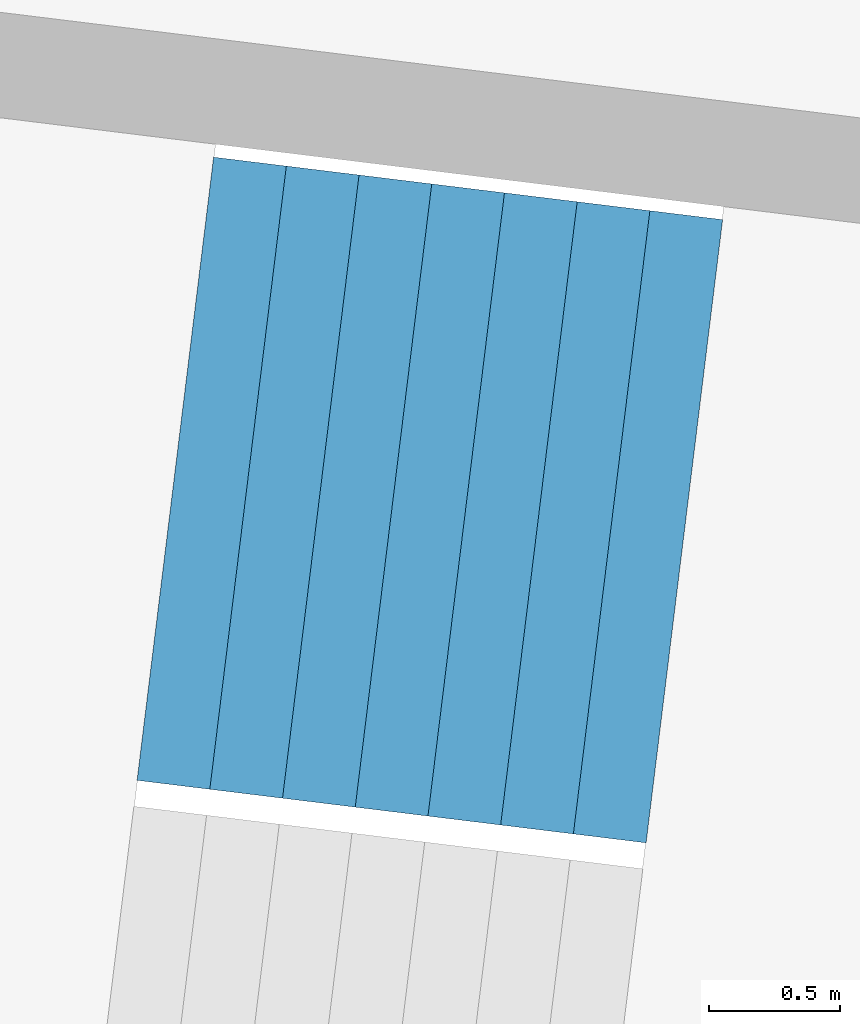
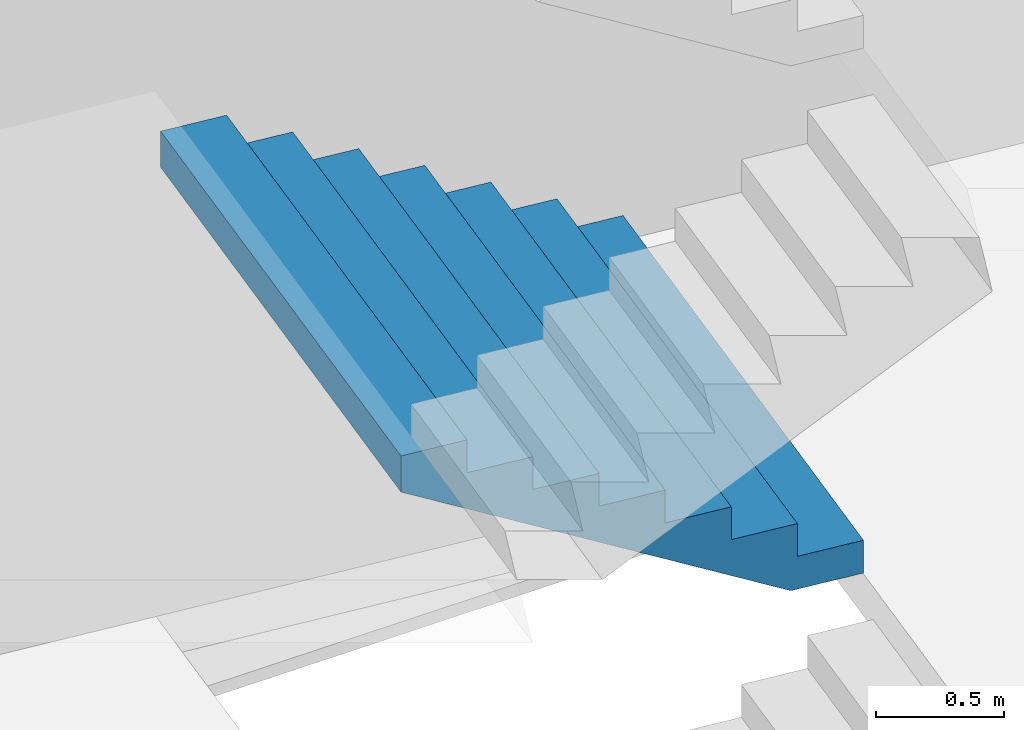
# One storey, part 55 of 73: 1 stair flight, 1 element without a shape of its own.
"""IFC4 building model written with IfcOpenShell, lengths in metres."""

from ifc_helpers import new_model, si_unit, direction, frame, origin, place, context, subcontext, project, spatial, triangles, material, type_object, element, aggregate, save


model = new_model("IFC4")

# Units and contexts
model_context = context("Model", 3, precision=1e-05, world=origin(), true_north=direction((0.0, 1.0)))
body_context = subcontext(model_context, "Body", "Model", "MODEL_VIEW")
ifc_project = project(units=[si_unit("LENGTHUNIT", "METRE"), si_unit("AREAUNIT", "SQUARE_METRE"), si_unit("VOLUMEUNIT", "CUBIC_METRE"), si_unit("PLANEANGLEUNIT", "RADIAN"), si_unit("MASSUNIT", "GRAM", prefix="KILO")], contexts=[model_context])

# Site, building, storey
site_placement = place(None, origin())
site = spatial("IfcSite", under=ifc_project, at=site_placement, CompositionType="ELEMENT")
building_placement = place(site_placement, origin())
building = spatial("IfcBuilding", under=site, at=building_placement, Name="Lantaw Convention Tower", CompositionType="ELEMENT")
storey_placement = place(building_placement, frame((0.0, 0.0, 27.0)))
storey = spatial("IfcBuildingStorey", under=building, at=storey_placement, Name="L04", CompositionType="ELEMENT", Elevation=27.0)

# Stair, stair flight
ifc_material = material(Name="Concrete C35/45", Category="concrete")
stair_type = type_object("IfcStairType", Name="Exit stair 2400 riser 156.25 in 4 flights", PredefinedType="HALF_TURN_STAIR", material=ifc_material)
stair_placement = place(storey_placement, origin())
stair = element("IfcStair", 1, at=stair_placement, inside=storey, type_object=stair_type, Name="Podium exit stair P13 L04", PredefinedType="HALF_TURN_STAIR")
stair_flight_type = type_object("IfcStairFlightType", Name="Stair flight 2400 riser 156.25", PredefinedType="STRAIGHT", material=ifc_material)
stair_flight_placement = place(storey_placement, frame((37.107666015625, -3.296875, 1.25), z_axis=(0.0, 0.0, 1.0), x_axis=(-0.992546151641, 0.121869343405, 0.0)))
stair_flight = element("IfcStairFlight", 2, at=stair_flight_placement, type_object=stair_flight_type, Name="P13 flight 2", NumberOfRisers=8, NumberOfTreads=7, PredefinedType="STRAIGHT", RiserHeight=0.15625, TreadLength=0.28, context=body_context, shape_type="Tessellation", body=[
    triangles([(0.0, 1.199951171875, 0.0), (0.0, 1.199951171875, 0.15625), (0.28, 1.199951171875, 0.0), (0.28, 1.199951171875, 0.15625), (0.28, 1.199951171875, 0.3125), (0.3076200632058044, 1.199951171875, 0.0), (0.3076200632058044, 1.199951171875, 0.3125), (0.56, 1.199951171875, 0.14083701830033238), (0.56, 1.199951171875, 0.3125), (0.56, 1.199951171875, 0.46875), (0.8400000000000001, 1.199951171875, 0.29708701830033235), (0.8400000000000001, 1.199951171875, 0.46875), (0.8400000000000001, 1.199951171875, 0.625), (1.12, 1.199951171875, 0.45333701830033235), (1.12, 1.199951171875, 0.625), (1.12, 1.199951171875, 0.78125), (1.4000000000000001, 1.199951171875, 0.6095870183003324), (1.4000000000000001, 1.199951171875, 0.78125), (1.4000000000000001, 1.199951171875, 0.9375), (1.6800000000000002, 1.199951171875, 0.7658370183003324), (1.6800000000000002, 1.199951171875, 0.9375), (1.6800000000000002, 1.199951171875, 1.09375), (1.9600000000000002, 1.199951171875, 0.9220870183003324), (1.9600000000000002, 1.199951171875, 1.09375), (0.0, -1.199951171875, 0.0), (0.0, -1.199951171875, 0.15625), (0.28, -1.199951171875, 0.0), (0.28, -1.199951171875, 0.15625), (0.28, -1.199951171875, 0.3125), (0.3076200632058044, -1.199951171875, 0.0), (0.3076200632058044, -1.199951171875, 0.3125), (0.56, -1.199951171875, 0.14083701830033238), (0.56, -1.199951171875, 0.3125), (0.56, -1.199951171875, 0.46875), (0.8400000000000001, -1.199951171875, 0.29708701830033235), (0.8400000000000001, -1.199951171875, 0.46875), (0.8400000000000001, -1.199951171875, 0.625), (1.12, -1.199951171875, 0.45333701830033235), (1.12, -1.199951171875, 0.625), (1.12, -1.199951171875, 0.78125), (1.4000000000000001, -1.199951171875, 0.6095870183003324), (1.4000000000000001, -1.199951171875, 0.78125), (1.4000000000000001, -1.199951171875, 0.9375), (1.6800000000000002, -1.199951171875, 0.7658370183003324), (1.6800000000000002, -1.199951171875, 0.9375), (1.6800000000000002, -1.199951171875, 1.09375), (1.9600000000000002, -1.199951171875, 0.9220870183003324), (1.9600000000000002, -1.199951171875, 1.09375), (0.0, 0.239990234375, 0.15625), (0.0, 0.239990234375, 0.0), (0.0, 0.1919921875, 0.15625), (0.0, 0.1919921875, 0.0), (0.0, 0.143994140625, 0.15625), (0.0, 0.143994140625, 0.0), (0.0, 0.09599609375, 0.15625), (0.0, 0.09599609375, 0.0), (0.0, 0.047998046875, 0.15625), (0.0, 0.047998046875, 0.0), (0.0, 0.0, 0.15625), (0.0, 0.0, 0.0), (0.0, -0.047998046875, 0.15625), (0.0, -0.047998046875, 0.0), (0.0, -0.09599609375, 0.15625), (0.0, -0.09599609375, 0.0), (0.0, -0.143994140625, 0.15625), (0.0, -0.143994140625, 0.0), (0.0, -0.1919921875, 0.15625), (0.0, -0.1919921875, 0.0), (0.0, -0.239990234375, 0.15625), (0.0, -0.239990234375, 0.0), (0.28, 0.239990234375, 0.3125), (0.28, 0.239990234375, 0.15625), (0.28, 0.1919921875, 0.3125), (0.28, 0.1919921875, 0.15625), (0.28, 0.143994140625, 0.3125), (0.28, 0.143994140625, 0.15625), (0.28, 0.09599609375, 0.3125), (0.28, 0.09599609375, 0.15625), (0.28, 0.047998046875, 0.3125), (0.28, 0.047998046875, 0.15625), (0.28, 0.0, 0.3125), (0.28, 0.0, 0.15625), (0.28, -0.047998046875, 0.3125), (0.28, -0.047998046875, 0.15625), (0.28, -0.09599609375, 0.3125), (0.28, -0.09599609375, 0.15625), (0.28, -0.143994140625, 0.3125), (0.28, -0.143994140625, 0.15625), (0.28, -0.1919921875, 0.3125), (0.28, -0.1919921875, 0.15625), (0.28, -0.239990234375, 0.3125), (0.28, -0.239990234375, 0.15625), (0.56, 0.239990234375, 0.46875), (0.56, 0.239990234375, 0.3125), (0.56, 0.1919921875, 0.46875), (0.56, 0.1919921875, 0.3125), (0.56, 0.143994140625, 0.46875), (0.56, 0.143994140625, 0.3125), (0.56, 0.09599609375, 0.46875), (0.56, 0.09599609375, 0.3125), (0.56, 0.047998046875, 0.46875), (0.56, 0.047998046875, 0.3125), (0.56, 0.0, 0.46875), (0.56, 0.0, 0.3125), (0.56, -0.047998046875, 0.46875), (0.56, -0.047998046875, 0.3125), (0.56, -0.09599609375, 0.46875), (0.56, -0.09599609375, 0.3125), (0.56, -0.143994140625, 0.46875), (0.56, -0.143994140625, 0.3125), (0.56, -0.1919921875, 0.46875), (0.56, -0.1919921875, 0.3125), (0.56, -0.239990234375, 0.46875), (0.56, -0.239990234375, 0.3125), (0.8400000000000001, 0.239990234375, 0.625), (0.8400000000000001, 0.239990234375, 0.46875), (0.8400000000000001, 0.1919921875, 0.625), (0.8400000000000001, 0.1919921875, 0.46875), (0.8400000000000001, 0.143994140625, 0.625), (0.8400000000000001, 0.143994140625, 0.46875), (0.8400000000000001, 0.09599609375, 0.625), (0.8400000000000001, 0.09599609375, 0.46875), (0.8400000000000001, 0.047998046875, 0.625), (0.8400000000000001, 0.047998046875, 0.46875), (0.8400000000000001, 0.0, 0.625), (0.8400000000000001, 0.0, 0.46875), (0.8400000000000001, -0.047998046875, 0.625), (0.8400000000000001, -0.047998046875, 0.46875), (0.8400000000000001, -0.09599609375, 0.625), (0.8400000000000001, -0.09599609375, 0.46875), (0.8400000000000001, -0.143994140625, 0.625), (0.8400000000000001, -0.143994140625, 0.46875), (0.8400000000000001, -0.1919921875, 0.625), (0.8400000000000001, -0.1919921875, 0.46875), (0.8400000000000001, -0.239990234375, 0.625), (0.8400000000000001, -0.239990234375, 0.46875), (1.12, 0.239990234375, 0.78125), (1.12, 0.239990234375, 0.625), (1.12, 0.1919921875, 0.78125), (1.12, 0.1919921875, 0.625), (1.12, 0.143994140625, 0.78125), (1.12, 0.143994140625, 0.625), (1.12, 0.09599609375, 0.78125), (1.12, 0.09599609375, 0.625), (1.12, 0.047998046875, 0.78125), (1.12, 0.047998046875, 0.625), (1.12, 0.0, 0.78125), (1.12, 0.0, 0.625), (1.12, -0.047998046875, 0.78125), (1.12, -0.047998046875, 0.625), (1.12, -0.09599609375, 0.78125), (1.12, -0.09599609375, 0.625), (1.12, -0.143994140625, 0.78125), (1.12, -0.143994140625, 0.625), (1.12, -0.1919921875, 0.78125), (1.12, -0.1919921875, 0.625), (1.12, -0.239990234375, 0.78125), (1.12, -0.239990234375, 0.625), (1.4000000000000001, 0.239990234375, 0.9375), (1.4000000000000001, 0.239990234375, 0.78125), (1.4000000000000001, 0.1919921875, 0.9375), (1.4000000000000001, 0.1919921875, 0.78125), (1.4000000000000001, 0.143994140625, 0.9375), (1.4000000000000001, 0.143994140625, 0.78125), (1.4000000000000001, 0.09599609375, 0.9375), (1.4000000000000001, 0.09599609375, 0.78125), (1.4000000000000001, 0.047998046875, 0.9375), (1.4000000000000001, 0.047998046875, 0.78125), (1.4000000000000001, 0.0, 0.9375), (1.4000000000000001, 0.0, 0.78125), (1.4000000000000001, -0.047998046875, 0.9375), (1.4000000000000001, -0.047998046875, 0.78125), (1.4000000000000001, -0.09599609375, 0.9375), (1.4000000000000001, -0.09599609375, 0.78125), (1.4000000000000001, -0.143994140625, 0.9375), (1.4000000000000001, -0.143994140625, 0.78125), (1.4000000000000001, -0.1919921875, 0.9375), (1.4000000000000001, -0.1919921875, 0.78125), (1.4000000000000001, -0.239990234375, 0.9375), (1.4000000000000001, -0.239990234375, 0.78125), (1.6800000000000002, 0.239990234375, 1.09375), (1.6800000000000002, 0.239990234375, 0.9375), (1.6800000000000002, 0.1919921875, 1.09375), (1.6800000000000002, 0.1919921875, 0.9375), (1.6800000000000002, 0.143994140625, 1.09375), (1.6800000000000002, 0.143994140625, 0.9375), (1.6800000000000002, 0.09599609375, 1.09375), (1.6800000000000002, 0.09599609375, 0.9375), (1.6800000000000002, 0.047998046875, 1.09375), (1.6800000000000002, 0.047998046875, 0.9375), (1.6800000000000002, 0.0, 1.09375), (1.6800000000000002, 0.0, 0.9375), (1.6800000000000002, -0.047998046875, 1.09375), (1.6800000000000002, -0.047998046875, 0.9375), (1.6800000000000002, -0.09599609375, 1.09375), (1.6800000000000002, -0.09599609375, 0.9375), (1.6800000000000002, -0.143994140625, 1.09375), (1.6800000000000002, -0.143994140625, 0.9375), (1.6800000000000002, -0.1919921875, 1.09375), (1.6800000000000002, -0.1919921875, 0.9375), (1.6800000000000002, -0.239990234375, 1.09375), (1.6800000000000002, -0.239990234375, 0.9375), (0.3076200632058044, 0.239990234375, 0.3125), (0.3076200632058044, 0.1919921875, 0.3125), (0.3076200632058044, 0.143994140625, 0.3125), (0.3076200632058044, 0.09599609375, 0.3125), (0.3076200632058044, 0.047998046875, 0.3125), (0.3076200632058044, 0.0, 0.3125), (0.3076200632058044, -0.047998046875, 0.3125), (0.3076200632058044, -0.09599609375, 0.3125), (0.3076200632058044, -0.143994140625, 0.3125), (0.3076200632058044, -0.1919921875, 0.3125), (0.3076200632058044, -0.239990234375, 0.3125), (1.9600000000000002, 0.239990234375, 1.09375), (1.9600000000000002, 0.1919921875, 1.09375), (1.9600000000000002, 0.143994140625, 1.09375), (1.9600000000000002, 0.09599609375, 1.09375), (1.9600000000000002, 0.047998046875, 1.09375), (1.9600000000000002, 0.0, 1.09375), (1.9600000000000002, -0.047998046875, 1.09375), (1.9600000000000002, -0.09599609375, 1.09375), (1.9600000000000002, -0.143994140625, 1.09375), (1.9600000000000002, -0.1919921875, 1.09375), (1.9600000000000002, -0.239990234375, 1.09375), (1.9600000000000002, 0.239990234375, 0.9220870183003324), (1.9600000000000002, 0.1919921875, 0.9220870183003324), (1.9600000000000002, 0.143994140625, 0.9220870183003324), (1.9600000000000002, 0.09599609375, 0.9220870183003324), (1.9600000000000002, 0.047998046875, 0.9220870183003324), (1.9600000000000002, 0.0, 0.9220870183003324), (1.9600000000000002, -0.047998046875, 0.9220870183003324), (1.9600000000000002, -0.09599609375, 0.9220870183003324), (1.9600000000000002, -0.143994140625, 0.9220870183003324), (1.9600000000000002, -0.1919921875, 0.9220870183003324), (1.9600000000000002, -0.239990234375, 0.9220870183003324), (1.6800000000000002, 0.239990234375, 0.7658370183003324), (1.6800000000000002, 0.1919921875, 0.7658370183003324), (1.6800000000000002, 0.143994140625, 0.7658370183003324), (1.6800000000000002, 0.09599609375, 0.7658370183003324), (1.6800000000000002, 0.047998046875, 0.7658370183003324), (1.6800000000000002, 0.0, 0.7658370183003324), (1.6800000000000002, -0.047998046875, 0.7658370183003324), (1.6800000000000002, -0.09599609375, 0.7658370183003324), (1.6800000000000002, -0.143994140625, 0.7658370183003324), (1.6800000000000002, -0.1919921875, 0.7658370183003324), (1.6800000000000002, -0.239990234375, 0.7658370183003324), (1.4000000000000001, 0.239990234375, 0.6095870183003324), (1.4000000000000001, 0.1919921875, 0.6095870183003324), (1.4000000000000001, 0.143994140625, 0.6095870183003324), (1.4000000000000001, 0.09599609375, 0.6095870183003324), (1.4000000000000001, 0.047998046875, 0.6095870183003324), (1.4000000000000001, 0.0, 0.6095870183003324), (1.4000000000000001, -0.047998046875, 0.6095870183003324), (1.4000000000000001, -0.09599609375, 0.6095870183003324), (1.4000000000000001, -0.143994140625, 0.6095870183003324), (1.4000000000000001, -0.1919921875, 0.6095870183003324), (1.4000000000000001, -0.239990234375, 0.6095870183003324), (1.12, 0.239990234375, 0.45333701830033235), (1.12, 0.1919921875, 0.45333701830033235), (1.12, 0.143994140625, 0.45333701830033235), (1.12, 0.09599609375, 0.45333701830033235), (1.12, 0.047998046875, 0.45333701830033235), (1.12, 0.0, 0.45333701830033235), (1.12, -0.047998046875, 0.45333701830033235), (1.12, -0.09599609375, 0.45333701830033235), (1.12, -0.143994140625, 0.45333701830033235), (1.12, -0.1919921875, 0.45333701830033235), (1.12, -0.239990234375, 0.45333701830033235), (0.8400000000000001, 0.239990234375, 0.29708701830033235), (0.8400000000000001, 0.1919921875, 0.29708701830033235), (0.8400000000000001, 0.143994140625, 0.29708701830033235), (0.8400000000000001, 0.09599609375, 0.29708701830033235), (0.8400000000000001, 0.047998046875, 0.29708701830033235), (0.8400000000000001, 0.0, 0.29708701830033235), (0.8400000000000001, -0.047998046875, 0.29708701830033235), (0.8400000000000001, -0.09599609375, 0.29708701830033235), (0.8400000000000001, -0.143994140625, 0.29708701830033235), (0.8400000000000001, -0.1919921875, 0.29708701830033235), (0.8400000000000001, -0.239990234375, 0.29708701830033235), (0.56, 0.239990234375, 0.14083701830033238), (0.56, 0.1919921875, 0.14083701830033238), (0.56, 0.143994140625, 0.14083701830033238), (0.56, 0.09599609375, 0.14083701830033238), (0.56, 0.047998046875, 0.14083701830033238), (0.56, 0.0, 0.14083701830033238), (0.56, -0.047998046875, 0.14083701830033238), (0.56, -0.09599609375, 0.14083701830033238), (0.56, -0.143994140625, 0.14083701830033238), (0.56, -0.1919921875, 0.14083701830033238), (0.56, -0.239990234375, 0.14083701830033238), (0.3076200632058044, 0.239990234375, 0.0), (0.3076200632058044, 0.1919921875, 0.0), (0.3076200632058044, 0.143994140625, 0.0), (0.3076200632058044, 0.09599609375, 0.0), (0.3076200632058044, 0.047998046875, 0.0), (0.3076200632058044, 0.0, 0.0), (0.3076200632058044, -0.047998046875, 0.0), (0.3076200632058044, -0.09599609375, 0.0), (0.3076200632058044, -0.143994140625, 0.0), (0.3076200632058044, -0.1919921875, 0.0), (0.3076200632058044, -0.239990234375, 0.0), (0.28, 0.239990234375, 0.0), (0.28, 0.1919921875, 0.0), (0.28, 0.143994140625, 0.0), (0.28, 0.09599609375, 0.0), (0.28, 0.047998046875, 0.0), (0.28, 0.0, 0.0), (0.28, -0.047998046875, 0.0), (0.28, -0.09599609375, 0.0), (0.28, -0.143994140625, 0.0), (0.28, -0.1919921875, 0.0), (0.28, -0.239990234375, 0.0)], [[1, 4, 3], [1, 2, 4], [3, 4, 6], [4, 7, 6], [4, 5, 7], [6, 9, 8], [6, 7, 9], [8, 9, 11], [9, 12, 11], [9, 10, 12], [11, 12, 14], [12, 15, 14], [12, 13, 15], [14, 15, 17], [15, 18, 17], [15, 16, 18], [17, 18, 20], [18, 21, 20], [18, 19, 21], [20, 21, 23], [21, 24, 23], [21, 22, 24], [25, 27, 28], [25, 28, 26], [27, 30, 28], [28, 30, 31], [28, 31, 29], [30, 32, 33], [30, 33, 31], [32, 35, 33], [33, 35, 36], [33, 36, 34], [35, 38, 36], [36, 38, 39], [36, 39, 37], [38, 41, 39], [39, 41, 42], [39, 42, 40], [41, 44, 42], [42, 44, 45], [42, 45, 43], [44, 47, 45], [45, 47, 48], [45, 48, 46], [1, 49, 2], [1, 50, 49], [50, 51, 49], [50, 52, 51], [52, 53, 51], [52, 54, 53], [54, 55, 53], [54, 56, 55], [56, 57, 55], [56, 58, 57], [58, 59, 57], [58, 60, 59], [60, 61, 59], [60, 62, 61], [62, 63, 61], [62, 64, 63], [64, 65, 63], [64, 66, 65], [66, 67, 65], [66, 68, 67], [68, 69, 67], [68, 70, 69], [70, 26, 69], [70, 25, 26], [4, 71, 5], [4, 72, 71], [72, 73, 71], [72, 74, 73], [74, 75, 73], [74, 76, 75], [76, 77, 75], [76, 78, 77], [78, 79, 77], [78, 80, 79], [80, 81, 79], [80, 82, 81], [82, 83, 81], [82, 84, 83], [84, 85, 83], [84, 86, 85], [86, 87, 85], [86, 88, 87], [88, 89, 87], [88, 90, 89], [90, 91, 89], [90, 92, 91], [92, 29, 91], [92, 28, 29], [9, 93, 10], [9, 94, 93], [94, 95, 93], [94, 96, 95], [96, 97, 95], [96, 98, 97], [98, 99, 97], [98, 100, 99], [100, 101, 99], [100, 102, 101], [102, 103, 101], [102, 104, 103], [104, 105, 103], [104, 106, 105], [106, 107, 105], [106, 108, 107], [108, 109, 107], [108, 110, 109], [110, 111, 109], [110, 112, 111], [112, 113, 111], [112, 114, 113], [114, 34, 113], [114, 33, 34], [12, 115, 13], [12, 116, 115], [116, 117, 115], [116, 118, 117], [118, 119, 117], [118, 120, 119], [120, 121, 119], [120, 122, 121], [122, 123, 121], [122, 124, 123], [124, 125, 123], [124, 126, 125], [126, 127, 125], [126, 128, 127], [128, 129, 127], [128, 130, 129], [130, 131, 129], [130, 132, 131], [132, 133, 131], [132, 134, 133], [134, 135, 133], [134, 136, 135], [136, 37, 135], [136, 36, 37], [15, 137, 16], [15, 138, 137], [138, 139, 137], [138, 140, 139], [140, 141, 139], [140, 142, 141], [142, 143, 141], [142, 144, 143], [144, 145, 143], [144, 146, 145], [146, 147, 145], [146, 148, 147], [148, 149, 147], [148, 150, 149], [150, 151, 149], [150, 152, 151], [152, 153, 151], [152, 154, 153], [154, 155, 153], [154, 156, 155], [156, 157, 155], [156, 158, 157], [158, 40, 157], [158, 39, 40], [18, 159, 19], [18, 160, 159], [160, 161, 159], [160, 162, 161], [162, 163, 161], [162, 164, 163], [164, 165, 163], [164, 166, 165], [166, 167, 165], [166, 168, 167], [168, 169, 167], [168, 170, 169], [170, 171, 169], [170, 172, 171], [172, 173, 171], [172, 174, 173], [174, 175, 173], [174, 176, 175], [176, 177, 175], [176, 178, 177], [178, 179, 177], [178, 180, 179], [180, 43, 179], [180, 42, 43], [21, 181, 22], [21, 182, 181], [182, 183, 181], [182, 184, 183], [184, 185, 183], [184, 186, 185], [186, 187, 185], [186, 188, 187], [188, 189, 187], [188, 190, 189], [190, 191, 189], [190, 192, 191], [192, 193, 191], [192, 194, 193], [194, 195, 193], [194, 196, 195], [196, 197, 195], [196, 198, 197], [198, 199, 197], [198, 200, 199], [200, 201, 199], [200, 202, 201], [202, 46, 201], [202, 45, 46], [2, 72, 4], [2, 49, 72], [49, 74, 72], [49, 51, 74], [51, 76, 74], [51, 53, 76], [53, 78, 76], [53, 55, 78], [55, 80, 78], [55, 57, 80], [57, 82, 80], [57, 59, 82], [59, 84, 82], [59, 61, 84], [61, 86, 84], [61, 63, 86], [63, 88, 86], [63, 65, 88], [65, 90, 88], [65, 67, 90], [67, 92, 90], [67, 69, 92], [69, 28, 92], [69, 26, 28], [5, 203, 7], [5, 71, 203], [71, 204, 203], [71, 73, 204], [73, 205, 204], [73, 75, 205], [75, 206, 205], [75, 77, 206], [77, 207, 206], [77, 79, 207], [79, 208, 207], [79, 81, 208], [81, 209, 208], [81, 83, 209], [83, 210, 209], [83, 85, 210], [85, 211, 210], [85, 87, 211], [87, 212, 211], [87, 89, 212], [89, 213, 212], [89, 91, 213], [91, 31, 213], [91, 29, 31], [7, 94, 9], [7, 203, 94], [203, 96, 94], [203, 204, 96], [204, 98, 96], [204, 205, 98], [205, 100, 98], [205, 206, 100], [206, 102, 100], [206, 207, 102], [207, 104, 102], [207, 208, 104], [208, 106, 104], [208, 209, 106], [209, 108, 106], [209, 210, 108], [210, 110, 108], [210, 211, 110], [211, 112, 110], [211, 212, 112], [212, 114, 112], [212, 213, 114], [213, 33, 114], [213, 31, 33], [10, 116, 12], [10, 93, 116], [93, 118, 116], [93, 95, 118], [95, 120, 118], [95, 97, 120], [97, 122, 120], [97, 99, 122], [99, 124, 122], [99, 101, 124], [101, 126, 124], [101, 103, 126], [103, 128, 126], [103, 105, 128], [105, 130, 128], [105, 107, 130], [107, 132, 130], [107, 109, 132], [109, 134, 132], [109, 111, 134], [111, 136, 134], [111, 113, 136], [113, 36, 136], [113, 34, 36], [13, 138, 15], [13, 115, 138], [115, 140, 138], [115, 117, 140], [117, 142, 140], [117, 119, 142], [119, 144, 142], [119, 121, 144], [121, 146, 144], [121, 123, 146], [123, 148, 146], [123, 125, 148], [125, 150, 148], [125, 127, 150], [127, 152, 150], [127, 129, 152], [129, 154, 152], [129, 131, 154], [131, 156, 154], [131, 133, 156], [133, 158, 156], [133, 135, 158], [135, 39, 158], [135, 37, 39], [16, 160, 18], [16, 137, 160], [137, 162, 160], [137, 139, 162], [139, 164, 162], [139, 141, 164], [141, 166, 164], [141, 143, 166], [143, 168, 166], [143, 145, 168], [145, 170, 168], [145, 147, 170], [147, 172, 170], [147, 149, 172], [149, 174, 172], [149, 151, 174], [151, 176, 174], [151, 153, 176], [153, 178, 176], [153, 155, 178], [155, 180, 178], [155, 157, 180], [157, 42, 180], [157, 40, 42], [19, 182, 21], [19, 159, 182], [159, 184, 182], [159, 161, 184], [161, 186, 184], [161, 163, 186], [163, 188, 186], [163, 165, 188], [165, 190, 188], [165, 167, 190], [167, 192, 190], [167, 169, 192], [169, 194, 192], [169, 171, 194], [171, 196, 194], [171, 173, 196], [173, 198, 196], [173, 175, 198], [175, 200, 198], [175, 177, 200], [177, 202, 200], [177, 179, 202], [179, 45, 202], [179, 43, 45], [22, 214, 24], [22, 181, 214], [181, 215, 214], [181, 183, 215], [183, 216, 215], [183, 185, 216], [185, 217, 216], [185, 187, 217], [187, 218, 217], [187, 189, 218], [189, 219, 218], [189, 191, 219], [191, 220, 219], [191, 193, 220], [193, 221, 220], [193, 195, 221], [195, 222, 221], [195, 197, 222], [197, 223, 222], [197, 199, 223], [199, 224, 223], [199, 201, 224], [201, 48, 224], [201, 46, 48], [24, 225, 23], [24, 214, 225], [214, 226, 225], [214, 215, 226], [215, 227, 226], [215, 216, 227], [216, 228, 227], [216, 217, 228], [217, 229, 228], [217, 218, 229], [218, 230, 229], [218, 219, 230], [219, 231, 230], [219, 220, 231], [220, 232, 231], [220, 221, 232], [221, 233, 232], [221, 222, 233], [222, 234, 233], [222, 223, 234], [223, 235, 234], [223, 224, 235], [224, 47, 235], [224, 48, 47], [23, 236, 20], [23, 225, 236], [225, 237, 236], [225, 226, 237], [226, 238, 237], [226, 227, 238], [227, 239, 238], [227, 228, 239], [228, 240, 239], [228, 229, 240], [229, 241, 240], [229, 230, 241], [230, 242, 241], [230, 231, 242], [231, 243, 242], [231, 232, 243], [232, 244, 243], [232, 233, 244], [233, 245, 244], [233, 234, 245], [234, 246, 245], [234, 235, 246], [235, 44, 246], [235, 47, 44], [20, 247, 17], [20, 236, 247], [236, 248, 247], [236, 237, 248], [237, 249, 248], [237, 238, 249], [238, 250, 249], [238, 239, 250], [239, 251, 250], [239, 240, 251], [240, 252, 251], [240, 241, 252], [241, 253, 252], [241, 242, 253], [242, 254, 253], [242, 243, 254], [243, 255, 254], [243, 244, 255], [244, 256, 255], [244, 245, 256], [245, 257, 256], [245, 246, 257], [246, 41, 257], [246, 44, 41], [17, 258, 14], [17, 247, 258], [247, 259, 258], [247, 248, 259], [248, 260, 259], [248, 249, 260], [249, 261, 260], [249, 250, 261], [250, 262, 261], [250, 251, 262], [251, 263, 262], [251, 252, 263], [252, 264, 263], [252, 253, 264], [253, 265, 264], [253, 254, 265], [254, 266, 265], [254, 255, 266], [255, 267, 266], [255, 256, 267], [256, 268, 267], [256, 257, 268], [257, 38, 268], [257, 41, 38], [14, 269, 11], [14, 258, 269], [258, 270, 269], [258, 259, 270], [259, 271, 270], [259, 260, 271], [260, 272, 271], [260, 261, 272], [261, 273, 272], [261, 262, 273], [262, 274, 273], [262, 263, 274], [263, 275, 274], [263, 264, 275], [264, 276, 275], [264, 265, 276], [265, 277, 276], [265, 266, 277], [266, 278, 277], [266, 267, 278], [267, 279, 278], [267, 268, 279], [268, 35, 279], [268, 38, 35], [11, 280, 8], [11, 269, 280], [269, 281, 280], [269, 270, 281], [270, 282, 281], [270, 271, 282], [271, 283, 282], [271, 272, 283], [272, 284, 283], [272, 273, 284], [273, 285, 284], [273, 274, 285], [274, 286, 285], [274, 275, 286], [275, 287, 286], [275, 276, 287], [276, 288, 287], [276, 277, 288], [277, 289, 288], [277, 278, 289], [278, 290, 289], [278, 279, 290], [279, 32, 290], [279, 35, 32], [8, 291, 6], [8, 280, 291], [280, 292, 291], [280, 281, 292], [281, 293, 292], [281, 282, 293], [282, 294, 293], [282, 283, 294], [283, 295, 294], [283, 284, 295], [284, 296, 295], [284, 285, 296], [285, 297, 296], [285, 286, 297], [286, 298, 297], [286, 287, 298], [287, 299, 298], [287, 288, 299], [288, 300, 299], [288, 289, 300], [289, 301, 300], [289, 290, 301], [290, 30, 301], [290, 32, 30], [6, 302, 3], [6, 291, 302], [291, 303, 302], [291, 292, 303], [292, 304, 303], [292, 293, 304], [293, 305, 304], [293, 294, 305], [294, 306, 305], [294, 295, 306], [295, 307, 306], [295, 296, 307], [296, 308, 307], [296, 297, 308], [297, 309, 308], [297, 298, 309], [298, 310, 309], [298, 299, 310], [299, 311, 310], [299, 300, 311], [300, 312, 311], [300, 301, 312], [301, 27, 312], [301, 30, 27], [3, 50, 1], [3, 302, 50], [302, 52, 50], [302, 303, 52], [303, 54, 52], [303, 304, 54], [304, 56, 54], [304, 305, 56], [305, 58, 56], [305, 306, 58], [306, 60, 58], [306, 307, 60], [307, 62, 60], [307, 308, 62], [308, 64, 62], [308, 309, 64], [309, 66, 64], [309, 310, 66], [310, 68, 66], [310, 311, 68], [311, 70, 68], [311, 312, 70], [312, 25, 70], [312, 27, 25]], closed=True),
])
aggregate(stair, [stair_flight])

save(model, "model.ifc")
